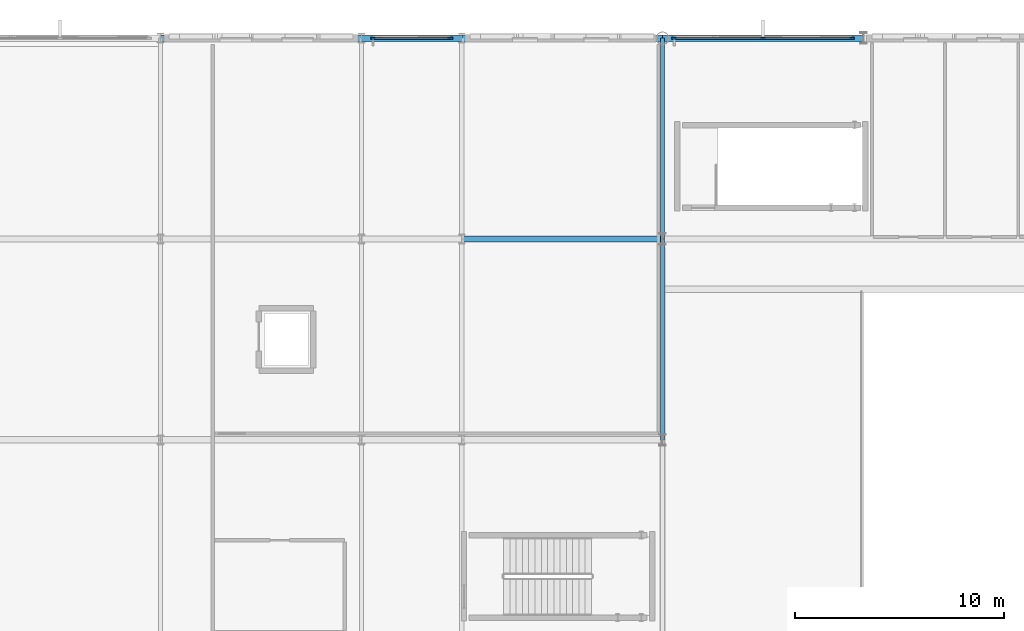
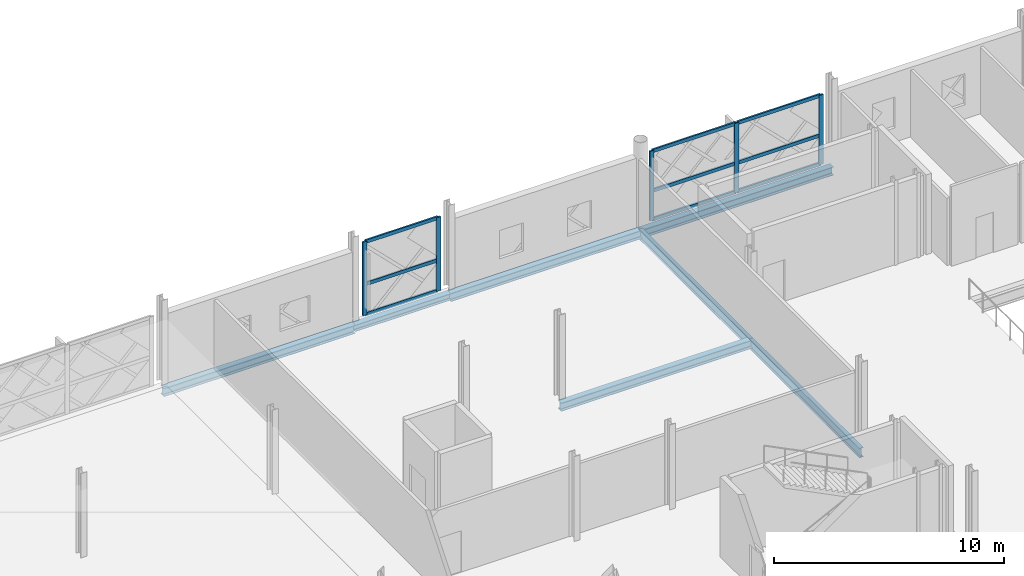
# One storey, part 50 of 101: 14 members, 7 beams, 2 elements without a shape of their own.
"""IFC4 building model written with IfcOpenShell, lengths in metres."""

from ifc_helpers import new_model, si_unit, direction, frame, origin, origin_2d, place, context, subcontext, project, spatial, rectangle, i_section, extrude, material, layer, layer_set, material_profile, profile_set, type_object, element, aggregate, save


model = new_model("IFC4")

# Units and contexts
model_context = context("Model", 3, precision=1e-05, world=origin(), true_north=direction((0.0, 1.0)))
body_context = subcontext(model_context, "Body", "Model", "MODEL_VIEW")
ifc_project = project(units=[si_unit("LENGTHUNIT", "METRE"), si_unit("AREAUNIT", "SQUARE_METRE"), si_unit("VOLUMEUNIT", "CUBIC_METRE"), si_unit("PLANEANGLEUNIT", "RADIAN"), si_unit("MASSUNIT", "GRAM", prefix="KILO")], contexts=[model_context])

# Site, building, storey
site_placement = place(None, origin())
site = spatial("IfcSite", under=ifc_project, at=site_placement, CompositionType="ELEMENT")
building_placement = place(site_placement, origin())
building = spatial("IfcBuilding", under=site, at=building_placement, Name="Zevrakil Square Congress Hotel", CompositionType="ELEMENT")
storey_placement = place(building_placement, frame((0.0, 0.0, 5.39990234375)))
storey = spatial("IfcBuildingStorey", under=building, at=storey_placement, Name="L02", CompositionType="ELEMENT", Elevation=5.39990234375)

# Beams
ifc_material_1 = material(Name="Steel S355", Category="steel")
ifc_material_profile_1 = material_profile(ifc_material_1, i_section(OverallWidth=0.300048828125, OverallDepth=0.35009765625, WebThickness=0.010009765625, FlangeThickness=0.017578125, FilletRadius=0.027099609375, at=origin_2d()), Name="HEA 360")
ifc_profile_set_1 = profile_set([ifc_material_profile_1], Name="Steel S355")
beam_type_1 = type_object("IfcBeamType", Name="BM-HEA360", PredefinedType="BEAM", material=ifc_profile_set_1)
beam_1_placement = place(storey_placement, frame((103.199951171875, 112.800048828125, -0.434814453125), z_axis=(1.0, 0.0, 0.0), x_axis=(0.0, 1.0, 0.0)))
element("IfcBeam", 1, at=beam_1_placement, inside=storey, type_object=beam_type_1, Name="L02 primary girder BX-0810", PredefinedType="BEAM", context=body_context, shape_type="SweptSolid", body=[
    extrude(i_section(OverallWidth=0.300048828125, OverallDepth=0.35009765625, WebThickness=0.010009765625, FlangeThickness=0.017578125, FilletRadius=0.027099609375, at=origin_2d()), origin(), (0.0, 0.0, 1.0), 4.800048828125),
])
ifc_material_2 = material(Name="Steel S355", Category="steel")
ifc_material_profile_2 = material_profile(ifc_material_2, i_section(OverallWidth=0.300048828125, OverallDepth=0.43994140625, WebThickness=0.011474609375, FlangeThickness=0.02099609375, FilletRadius=0.027099609375, at=origin_2d()), Name="HEA 450")
ifc_profile_set_2 = profile_set([ifc_material_profile_2], Name="Steel S355")
beam_type_2 = type_object("IfcBeamType", Name="BM-HEA450", PredefinedType="BEAM", material=ifc_profile_set_2)
beam_2_placement = place(storey_placement, frame((108.0, 103.199951171875, -0.47998046875), z_axis=(1.0, 0.0, 0.0), x_axis=(0.0, 1.0, 0.0)))
element("IfcBeam", 2, at=beam_2_placement, inside=storey, type_object=beam_type_2, Name="L02 primary girder BX-0797", PredefinedType="BEAM", context=body_context, shape_type="SweptSolid", body=[
    extrude(i_section(OverallWidth=0.300048828125, OverallDepth=0.43994140625, WebThickness=0.011474609375, FlangeThickness=0.02099609375, FilletRadius=0.027099609375, at=origin_2d()), origin(), (0.0, 0.0, 1.0), 9.60009765625),
])
beam_3_placement = place(storey_placement, frame((93.60009765625, 112.800048828125, -0.47998046875), z_axis=(1.0, 0.0, 0.0), x_axis=(0.0, 1.0, 0.0)))
element("IfcBeam", 3, at=beam_3_placement, inside=storey, type_object=beam_type_2, Name="L02 primary girder BX-0809", PredefinedType="BEAM", context=body_context, shape_type="SweptSolid", body=[
    extrude(i_section(OverallWidth=0.300048828125, OverallDepth=0.43994140625, WebThickness=0.011474609375, FlangeThickness=0.02099609375, FilletRadius=0.027099609375, at=origin_2d()), origin(), (0.0, 0.0, 1.0), 9.599853515625),
])
beam_4_placement = place(storey_placement, frame((108.0, 112.800048828125, -0.47998046875), z_axis=(1.0, 0.0, 0.0), x_axis=(0.0, 1.0, 0.0)))
element("IfcBeam", 4, at=beam_4_placement, inside=storey, type_object=beam_type_2, Name="L02 primary girder BX-0811", PredefinedType="BEAM", context=body_context, shape_type="SweptSolid", body=[
    extrude(i_section(OverallWidth=0.300048828125, OverallDepth=0.43994140625, WebThickness=0.011474609375, FlangeThickness=0.02099609375, FilletRadius=0.027099609375, at=origin_2d()), origin(), (0.0, 0.0, 1.0), 9.60009765625),
])
beam_5_placement = place(storey_placement, frame((117.60009765625, 112.800048828125, -0.47998046875), z_axis=(1.0, 0.0, 0.0), x_axis=(0.0, 1.0, 0.0)))
element("IfcBeam", 5, at=beam_5_placement, inside=storey, type_object=beam_type_2, Name="L02 primary girder BX-0812", PredefinedType="BEAM", context=body_context, shape_type="SweptSolid", body=[
    extrude(i_section(OverallWidth=0.300048828125, OverallDepth=0.43994140625, WebThickness=0.011474609375, FlangeThickness=0.02099609375, FilletRadius=0.027099609375, at=origin_2d()), origin(), (0.0, 0.0, 1.0), 9.599853515625),
])
ifc_material_3 = material(Name="Steel S355", Category="steel")
ifc_material_profile_3 = material_profile(ifc_material_3, i_section(OverallWidth=0.199951171875, OverallDepth=0.5, WebThickness=0.01025390625, FlangeThickness=0.01611328125, FilletRadius=0.02099609375, at=origin_2d()), Name="IPE 500")
ifc_profile_set_3 = profile_set([ifc_material_profile_3], Name="Steel S355")
beam_type_3 = type_object("IfcBeamType", Name="BM-IPE500", PredefinedType="BEAM", material=ifc_profile_set_3)
beam_6_placement = place(storey_placement, frame((117.60009765625, 93.60009765625, -0.510009765625), z_axis=(0.0, 1.0, 0.0), x_axis=(-1.0, 0.0, 0.0)))
element("IfcBeam", 6, at=beam_6_placement, inside=storey, type_object=beam_type_3, Name="L02 primary girder BY-0930", PredefinedType="BEAM", context=body_context, shape_type="SweptSolid", body=[
    extrude(i_section(OverallWidth=0.199951171875, OverallDepth=0.5, WebThickness=0.01025390625, FlangeThickness=0.01611328125, FilletRadius=0.02099609375, at=origin_2d()), origin(), (0.0, 0.0, 1.0), 9.599853515625),
])
beam_7_placement = place(storey_placement, frame((117.60009765625, 103.199951171875, -0.510009765625), z_axis=(0.0, 1.0, 0.0), x_axis=(-1.0, 0.0, 0.0)))
element("IfcBeam", 7, at=beam_7_placement, inside=storey, type_object=beam_type_3, Name="L02 primary girder BY-0931", PredefinedType="BEAM", context=body_context, shape_type="SweptSolid", body=[
    extrude(i_section(OverallWidth=0.199951171875, OverallDepth=0.5, WebThickness=0.01025390625, FlangeThickness=0.01611328125, FilletRadius=0.02099609375, at=origin_2d()), origin(), (0.0, 0.0, 1.0), 9.60009765625),
])

# Curtain wall, members
ifc_material_4 = material(Name="Aluminium Anodised Bronze", Category="aluminium")
ifc_layer_1 = layer(ifc_material_4, 0.179931640625)
ifc_layer_set_1 = layer_set([ifc_layer_1], Name="Aluminium Anodised Bronze")
curtain_wall_type_1 = type_object("IfcCurtainWallType", Name="CW-L02-360", PredefinedType="USERDEFINED", material=ifc_layer_set_1)
curtain_wall_1_placement = place(storey_placement, origin())
curtain_wall_1 = element("IfcCurtainWall", 8, at=curtain_wall_1_placement, inside=storey, type_object=curtain_wall_type_1, Name="L02 diamond curtain wall CW-L02-0042", ObjectType="GLAZED CURTAIN WALL", PredefinedType="USERDEFINED")
ifc_material_5 = material(Name="Aluminium Anodised Bronze", Category="aluminium")
ifc_material_profile_4 = material_profile(ifc_material_5, rectangle(XDim=0.0849609375, YDim=0.179931640625, at=origin_2d()), Name="ALU 85x180")
ifc_profile_set_4 = profile_set([ifc_material_profile_4], Name="Aluminium Anodised Bronze")
member_type_1 = type_object("IfcMemberType", Name="CWM-ALU85x180", PredefinedType="USERDEFINED", material=ifc_profile_set_4)
member_1_placement = place(storey_placement, frame((103.780029296875, 112.800048828125, 0.030029296875), z_axis=(1.0, 0.0, 0.0), x_axis=(0.0, 1.0, 0.0)))
member_1 = element("IfcMember", 9, at=member_1_placement, type_object=member_type_1, Name="CW-16 transom 1.1", ObjectType="TRANSOM", PredefinedType="USERDEFINED", context=body_context, shape_type="SweptSolid", body=[
    extrude(rectangle(XDim=0.0849609375, YDim=0.179931640625, at=origin_2d()), origin(), (0.0, 0.0, 1.0), 3.639892578125),
])
member_2_placement = place(storey_placement, frame((103.780029296875, 112.800048828125, 1.644287109375), z_axis=(1.0, 0.0, 0.0), x_axis=(0.0, 1.0, 0.0)))
member_2 = element("IfcMember", 10, at=member_2_placement, type_object=member_type_1, Name="CW-16 transom 1.2", ObjectType="TRANSOM", PredefinedType="USERDEFINED", context=body_context, shape_type="SweptSolid", body=[
    extrude(rectangle(XDim=0.0849609375, YDim=0.179931640625, at=origin_2d()), origin(), (0.0, 0.0, 1.0), 3.639892578125),
])
member_3_placement = place(storey_placement, frame((103.780029296875, 112.800048828125, 3.885009765625), z_axis=(1.0, 0.0, 0.0), x_axis=(0.0, 1.0, 0.0)))
member_3 = element("IfcMember", 11, at=member_3_placement, type_object=member_type_1, Name="CW-16 transom 1.3", ObjectType="TRANSOM", PredefinedType="USERDEFINED", context=body_context, shape_type="SweptSolid", body=[
    extrude(rectangle(XDim=0.0849609375, YDim=0.179931640625, at=origin_2d()), origin(), (0.0, 0.0, 1.0), 3.639892578125),
])

ifc_material_6 = material(Name="Aluminium Anodised Bronze", Category="aluminium")
ifc_layer_2 = layer(ifc_material_6, 0.179931640625)
ifc_layer_set_2 = layer_set([ifc_layer_2], Name="Aluminium Anodised Bronze")
curtain_wall_type_2 = type_object("IfcCurtainWallType", Name="CW-L02-840", PredefinedType="USERDEFINED", material=ifc_layer_set_2)
curtain_wall_2_placement = place(storey_placement, origin())
curtain_wall_2 = element("IfcCurtainWall", 12, at=curtain_wall_2_placement, inside=storey, type_object=curtain_wall_type_2, Name="L02 diamond curtain wall CW-L02-0044", ObjectType="GLAZED CURTAIN WALL", PredefinedType="USERDEFINED")
member_4_placement = place(storey_placement, frame((118.179931640625, 112.800048828125, 0.030029296875), z_axis=(1.0, 0.0, 0.0), x_axis=(0.0, 1.0, 0.0)))
member_4 = element("IfcMember", 13, at=member_4_placement, type_object=member_type_1, Name="CW-23 transom 1.1", ObjectType="TRANSOM", PredefinedType="USERDEFINED", context=body_context, shape_type="SweptSolid", body=[
    extrude(rectangle(XDim=0.0849609375, YDim=0.179931640625, at=origin_2d()), origin(), (0.0, 0.0, 1.0), 4.190185546875),
])
member_5_placement = place(storey_placement, frame((118.179931640625, 112.800048828125, 1.5478515625), z_axis=(1.0, 0.0, 0.0), x_axis=(0.0, 1.0, 0.0)))
member_5 = element("IfcMember", 14, at=member_5_placement, type_object=member_type_1, Name="CW-23 transom 1.2", ObjectType="TRANSOM", PredefinedType="USERDEFINED", context=body_context, shape_type="SweptSolid", body=[
    extrude(rectangle(XDim=0.0849609375, YDim=0.179931640625, at=origin_2d()), origin(), (0.0, 0.0, 1.0), 4.190185546875),
])
member_6_placement = place(storey_placement, frame((118.179931640625, 112.800048828125, 3.655029296875), z_axis=(1.0, 0.0, 0.0), x_axis=(0.0, 1.0, 0.0)))
member_6 = element("IfcMember", 15, at=member_6_placement, type_object=member_type_1, Name="CW-23 transom 1.3", ObjectType="TRANSOM", PredefinedType="USERDEFINED", context=body_context, shape_type="SweptSolid", body=[
    extrude(rectangle(XDim=0.0849609375, YDim=0.179931640625, at=origin_2d()), origin(), (0.0, 0.0, 1.0), 4.190185546875),
])
member_7_placement = place(storey_placement, frame((122.429931640625, 112.800048828125, 0.030029296875), z_axis=(1.0, 0.0, 0.0), x_axis=(0.0, 1.0, 0.0)))
member_7 = element("IfcMember", 16, at=member_7_placement, type_object=member_type_1, Name="CW-23 transom 2.1", ObjectType="TRANSOM", PredefinedType="USERDEFINED", context=body_context, shape_type="SweptSolid", body=[
    extrude(rectangle(XDim=0.0849609375, YDim=0.179931640625, at=origin_2d()), origin(), (0.0, 0.0, 1.0), 4.190185546875),
])
member_8_placement = place(storey_placement, frame((122.429931640625, 112.800048828125, 1.5478515625), z_axis=(1.0, 0.0, 0.0), x_axis=(0.0, 1.0, 0.0)))
member_8 = element("IfcMember", 17, at=member_8_placement, type_object=member_type_1, Name="CW-23 transom 2.2", ObjectType="TRANSOM", PredefinedType="USERDEFINED", context=body_context, shape_type="SweptSolid", body=[
    extrude(rectangle(XDim=0.0849609375, YDim=0.179931640625, at=origin_2d()), origin(), (0.0, 0.0, 1.0), 4.190185546875),
])
member_9_placement = place(storey_placement, frame((122.429931640625, 112.800048828125, 3.655029296875), z_axis=(1.0, 0.0, 0.0), x_axis=(0.0, 1.0, 0.0)))
member_9 = element("IfcMember", 18, at=member_9_placement, type_object=member_type_1, Name="CW-23 transom 2.3", ObjectType="TRANSOM", PredefinedType="USERDEFINED", context=body_context, shape_type="SweptSolid", body=[
    extrude(rectangle(XDim=0.0849609375, YDim=0.179931640625, at=origin_2d()), origin(), (0.0, 0.0, 1.0), 4.190185546875),
])

# Member
ifc_material_7 = material(Name="Aluminium Anodised Bronze", Category="aluminium")
ifc_material_profile_5 = material_profile(ifc_material_7, rectangle(XDim=0.0849609375, YDim=0.219970703125, at=origin_2d()), Name="ALU 85x220")
ifc_profile_set_5 = profile_set([ifc_material_profile_5], Name="Aluminium Anodised Bronze")
member_type_2 = type_object("IfcMemberType", Name="CWM-ALU85x220", PredefinedType="MULLION", material=ifc_profile_set_5)
member_10_placement = place(storey_placement, frame((103.75, 112.800048828125, 0.0), z_axis=(0.0, 0.0, 1.0), x_axis=(0.0, 1.0, 0.0)))
member_10 = element("IfcMember", 19, at=member_10_placement, type_object=member_type_2, Name="CW-16 mullion 1", PredefinedType="MULLION", context=body_context, shape_type="SweptSolid", body=[
    extrude(rectangle(XDim=0.0849609375, YDim=0.219970703125, at=origin_2d()), origin(), (0.0, 0.0, 1.0), 3.9150390625),
])

member_11_placement = place(storey_placement, frame((107.449951171875, 112.800048828125, 0.0), z_axis=(0.0, 0.0, 1.0), x_axis=(0.0, 1.0, 0.0)))
member_11 = element("IfcMember", 20, at=member_11_placement, type_object=member_type_2, Name="CW-16 mullion 2", PredefinedType="MULLION", context=body_context, shape_type="SweptSolid", body=[
    extrude(rectangle(XDim=0.0849609375, YDim=0.219970703125, at=origin_2d()), origin(), (0.0, 0.0, 1.0), 3.9150390625),
])

aggregate(curtain_wall_1, [member_10, member_11, member_1, member_2, member_3])

member_12_placement = place(storey_placement, frame((118.14990234375, 112.800048828125, 0.0), z_axis=(0.0, 0.0, 1.0), x_axis=(0.0, 1.0, 0.0)))
member_12 = element("IfcMember", 21, at=member_12_placement, type_object=member_type_2, Name="CW-23 mullion 1", PredefinedType="MULLION", context=body_context, shape_type="SweptSolid", body=[
    extrude(rectangle(XDim=0.0849609375, YDim=0.219970703125, at=origin_2d()), origin(), (0.0, 0.0, 1.0), 3.68505859375),
])

member_13_placement = place(storey_placement, frame((122.39990234375, 112.800048828125, 0.0), z_axis=(0.0, 0.0, 1.0), x_axis=(0.0, 1.0, 0.0)))
member_13 = element("IfcMember", 22, at=member_13_placement, type_object=member_type_2, Name="CW-23 mullion 2", PredefinedType="MULLION", context=body_context, shape_type="SweptSolid", body=[
    extrude(rectangle(XDim=0.0849609375, YDim=0.219970703125, at=origin_2d()), origin(), (0.0, 0.0, 1.0), 3.68505859375),
])

member_14_placement = place(storey_placement, frame((126.64990234375, 112.800048828125, 0.0), z_axis=(0.0, 0.0, 1.0), x_axis=(0.0, 1.0, 0.0)))
member_14 = element("IfcMember", 23, at=member_14_placement, type_object=member_type_2, Name="CW-23 mullion 3", PredefinedType="MULLION", context=body_context, shape_type="SweptSolid", body=[
    extrude(rectangle(XDim=0.0849609375, YDim=0.219970703125, at=origin_2d()), origin(), (0.0, 0.0, 1.0), 3.68505859375),
])

aggregate(curtain_wall_2, [member_12, member_13, member_14, member_4, member_5, member_6, member_7, member_8, member_9])

save(model, "model.ifc")
